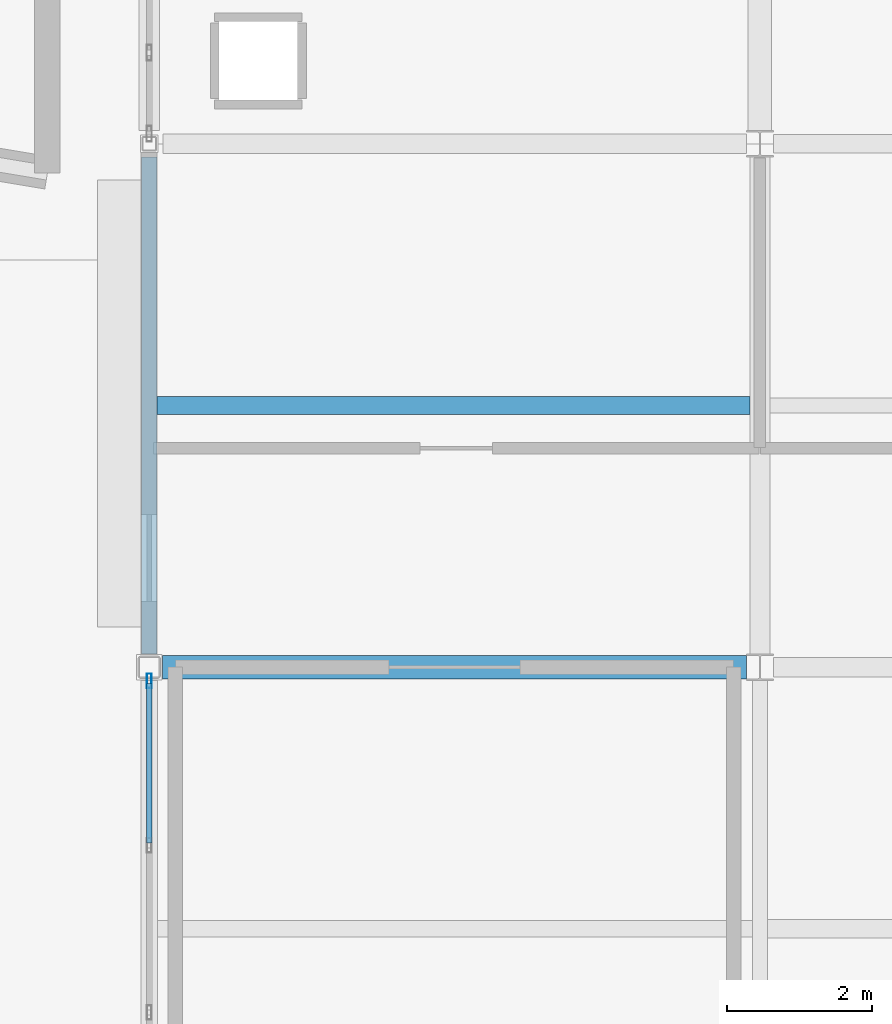
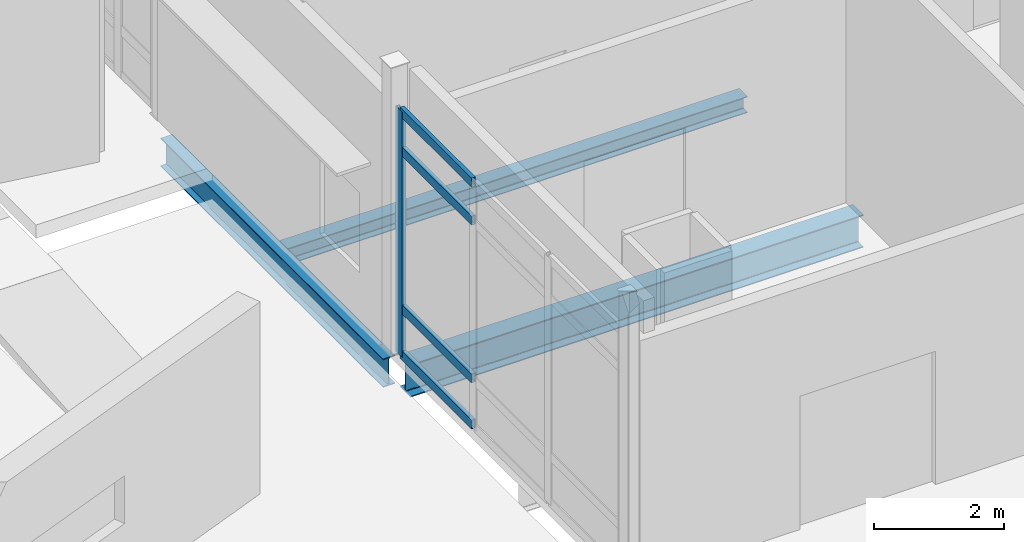
# One storey, part 37 of 229: 5 members, 3 beams, 1 element without a shape of its own.
"""IFC4 building model written with IfcOpenShell, lengths in metres."""

from ifc_helpers import new_model, si_unit, direction, frame, origin, origin_2d, place, context, subcontext, project, spatial, hollow_rectangle, i_section, extrude, material, layer, layer_set, material_profile, profile_set, type_object, element, aggregate, save


model = new_model("IFC4")

# Units and contexts
model_context = context("Model", 3, precision=1e-05, world=origin(), true_north=direction((0.0, 1.0)))
body_context = subcontext(model_context, "Body", "Model", "MODEL_VIEW")
ifc_project = project(units=[si_unit("LENGTHUNIT", "METRE"), si_unit("AREAUNIT", "SQUARE_METRE"), si_unit("VOLUMEUNIT", "CUBIC_METRE"), si_unit("PLANEANGLEUNIT", "RADIAN"), si_unit("MASSUNIT", "GRAM", prefix="KILO")], contexts=[model_context])

# Site, building, storey
site_placement = place(None, origin())
site = spatial("IfcSite", under=ifc_project, at=site_placement, CompositionType="ELEMENT")
building_placement = place(site_placement, origin())
building = spatial("IfcBuilding", under=site, at=building_placement, Name="Calvrana Isthmian Art Gallery", CompositionType="ELEMENT")
storey_placement = place(building_placement, origin())
storey = spatial("IfcBuildingStorey", under=building, at=storey_placement, Name="L00", CompositionType="ELEMENT", Elevation=0.0)

# Beams
ifc_material_1 = material(Name="Steel ASTM A992 Gr 50", Category="steel")
ifc_material_profile_1 = material_profile(ifc_material_1, i_section(OverallWidth=0.208984375, OverallDepth=0.532958984375, WebThickness=0.01025390625, FlangeThickness=0.015625, FilletRadius=0.02099609375, at=origin_2d()), Name="W21X62")
ifc_profile_set_1 = profile_set([ifc_material_profile_1], Name="Steel ASTM A992 Gr 50")
beam_type_1 = type_object("IfcBeamType", Name="BM-G-W21X62", PredefinedType="BEAM", material=ifc_profile_set_1)
beam_1_placement = place(storey_placement, frame((63.60009765625, 7.381591796875, -0.551513671875), z_axis=(0.0, 1.0, 0.0), x_axis=(-1.0, 0.0, 0.0)))
element("IfcBeam", 1, at=beam_1_placement, inside=storey, type_object=beam_type_1, Name="Girder Y L00 09/B-C", PredefinedType="BEAM", context=body_context, shape_type="SweptSolid", body=[
    extrude(i_section(OverallWidth=0.208984375, OverallDepth=0.532958984375, WebThickness=0.01025390625, FlangeThickness=0.015625, FilletRadius=0.02099609375, at=origin_2d()), origin(), (0.0, 0.0, 1.0), 6.83447265625),
])
ifc_material_profile_2 = material_profile(ifc_material_1, i_section(OverallWidth=0.324951171875, OverallDepth=0.612060546875, WebThickness=0.0126953125, FlangeThickness=0.01904296875, FilletRadius=0.02197265625, at=origin_2d()), Name="W24X104")
ifc_profile_set_2 = profile_set([ifc_material_profile_2], Name="Steel ASTM A992 Gr 50")
beam_type_2 = type_object("IfcBeamType", Name="BM-G-W24X104", PredefinedType="BEAM", material=ifc_profile_set_2)
beam_2_placement = place(storey_placement, frame((63.785400390625, 7.199951171875, -0.591064453125), z_axis=(1.0, 0.0, 0.0), x_axis=(0.0, 1.0, 0.0)))
element("IfcBeam", 2, at=beam_2_placement, inside=storey, type_object=beam_type_2, Name="Girder X L00 09-10/B", PredefinedType="BEAM", context=body_context, shape_type="SweptSolid", body=[
    extrude(i_section(OverallWidth=0.324951171875, OverallDepth=0.612060546875, WebThickness=0.0126953125, FlangeThickness=0.01904296875, FilletRadius=0.02197265625, at=origin_2d()), origin(), (0.0, 0.0, 1.0), 8.030517578125),
])
ifc_material_profile_3 = material_profile(ifc_material_1, i_section(OverallWidth=0.25390625, OverallDepth=0.306884765625, WebThickness=0.0087890625, FlangeThickness=0.0146484375, FilletRadius=0.01611328125, at=origin_2d()), Name="W12X53")
ifc_profile_set_3 = profile_set([ifc_material_profile_3], Name="Steel ASTM A992 Gr 50")
beam_type_3 = type_object("IfcBeamType", Name="BM-J-W12X53", PredefinedType="JOIST", material=ifc_profile_set_3)
beam_3_placement = place(storey_placement, frame((63.70458984375, 10.800048828125, -0.4384765625), z_axis=(1.0, 0.0, 0.0), x_axis=(0.0, 1.0, 0.0)))
element("IfcBeam", 3, at=beam_3_placement, inside=storey, type_object=beam_type_3, Name="Composite joist L00 bay 08-01", PredefinedType="JOIST", context=body_context, shape_type="SweptSolid", body=[
    extrude(i_section(OverallWidth=0.25390625, OverallDepth=0.306884765625, WebThickness=0.0087890625, FlangeThickness=0.0146484375, FilletRadius=0.01611328125, at=origin_2d()), origin(), (0.0, 0.0, 1.0), 8.156005859375),
])

# Curtain wall, members
ifc_material_2 = material(Name="Anodized bronze aluminium 6063-T6", Category="aluminium")
ifc_layer = layer(ifc_material_2, 0.179931640625, Name="Anodized bronze aluminium 6063-T6")
ifc_layer_set = layer_set([ifc_layer], Name="Anodized bronze aluminium 6063-T6")
curtain_wall_type = type_object("IfcCurtainWallType", Name="CW-STICK-069X46", PredefinedType="NOTDEFINED", material=ifc_layer_set)
curtain_wall_placement = place(storey_placement, origin())
curtain_wall = element("IfcCurtainWall", 4, at=curtain_wall_placement, inside=storey, type_object=curtain_wall_type, Name="Curtain wall CW-063", PredefinedType="NOTDEFINED")
ifc_material_profile_4 = material_profile(ifc_material_2, hollow_rectangle(XDim=0.070068359375, YDim=0.199951171875, WallThickness=0.0048828125, at=origin_2d()), Name="CWM70X200")
ifc_profile_set_4 = profile_set([ifc_material_profile_4], Name="Anodized bronze aluminium 6063-T6")
member_type_1 = type_object("IfcMemberType", Name="CWM-CWM70X200", PredefinedType="MULLION", material=ifc_profile_set_4)
member_1_placement = place(storey_placement, frame((63.60009765625, 7.0126953125, 0.0), z_axis=(0.0, 0.0, 1.0), x_axis=(-1.0, 0.0, 0.0)))
member_1 = element("IfcMember", 5, at=member_1_placement, type_object=member_type_1, Name="CW-063 mullion 4", PredefinedType="MULLION", context=body_context, shape_type="SweptSolid", body=[
    extrude(hollow_rectangle(XDim=0.070068359375, YDim=0.199951171875, WallThickness=0.0048828125, at=origin_2d()), origin(), (0.0, 0.0, 1.0), 4.60693359375),
])
ifc_material_profile_5 = material_profile(ifc_material_2, hollow_rectangle(XDim=0.070068359375, YDim=0.169921875, WallThickness=0.00439453125, at=origin_2d()), Name="CWT70X170")
ifc_profile_set_5 = profile_set([ifc_material_profile_5], Name="Anodized bronze aluminium 6063-T6")
member_type_2 = type_object("IfcMemberType", Name="CWT-CWT70X170", PredefinedType="USERDEFINED", material=ifc_profile_set_5)
member_2_placement = place(storey_placement, frame((63.60009765625, 4.7841796875, 0.034912109375), z_axis=(0.0, 1.0, 0.0), x_axis=(-1.0, 0.0, 0.0)))
member_2 = element("IfcMember", 6, at=member_2_placement, type_object=member_type_2, Name="CW-063 transom 3.1", ObjectType="TRANSOM", PredefinedType="USERDEFINED", context=body_context, shape_type="SweptSolid", body=[
    extrude(hollow_rectangle(XDim=0.070068359375, YDim=0.169921875, WallThickness=0.00439453125, at=origin_2d()), origin(), (0.0, 0.0, 1.0), 2.193359375),
])
member_3_placement = place(storey_placement, frame((63.60009765625, 4.7841796875, 0.89990234375), z_axis=(0.0, 1.0, 0.0), x_axis=(-1.0, 0.0, 0.0)))
member_3 = element("IfcMember", 7, at=member_3_placement, type_object=member_type_2, Name="CW-063 transom 3.2", ObjectType="TRANSOM", PredefinedType="USERDEFINED", context=body_context, shape_type="SweptSolid", body=[
    extrude(hollow_rectangle(XDim=0.070068359375, YDim=0.169921875, WallThickness=0.00439453125, at=origin_2d()), origin(), (0.0, 0.0, 1.0), 2.193359375),
])
member_4_placement = place(storey_placement, frame((63.60009765625, 4.7841796875, 3.85693359375), z_axis=(0.0, 1.0, 0.0), x_axis=(-1.0, 0.0, 0.0)))
member_4 = element("IfcMember", 8, at=member_4_placement, type_object=member_type_2, Name="CW-063 transom 3.3", ObjectType="TRANSOM", PredefinedType="USERDEFINED", context=body_context, shape_type="SweptSolid", body=[
    extrude(hollow_rectangle(XDim=0.070068359375, YDim=0.169921875, WallThickness=0.00439453125, at=origin_2d()), origin(), (0.0, 0.0, 1.0), 2.193359375),
])
member_5_placement = place(storey_placement, frame((63.60009765625, 4.7841796875, 4.572021484375), z_axis=(0.0, 1.0, 0.0), x_axis=(-1.0, 0.0, 0.0)))
member_5 = element("IfcMember", 9, at=member_5_placement, type_object=member_type_2, Name="CW-063 transom 3.4", ObjectType="TRANSOM", PredefinedType="USERDEFINED", context=body_context, shape_type="SweptSolid", body=[
    extrude(hollow_rectangle(XDim=0.070068359375, YDim=0.169921875, WallThickness=0.00439453125, at=origin_2d()), origin(), (0.0, 0.0, 1.0), 2.193359375),
])
aggregate(curtain_wall, [member_1, member_2, member_3, member_4, member_5])

save(model, "model.ifc")
